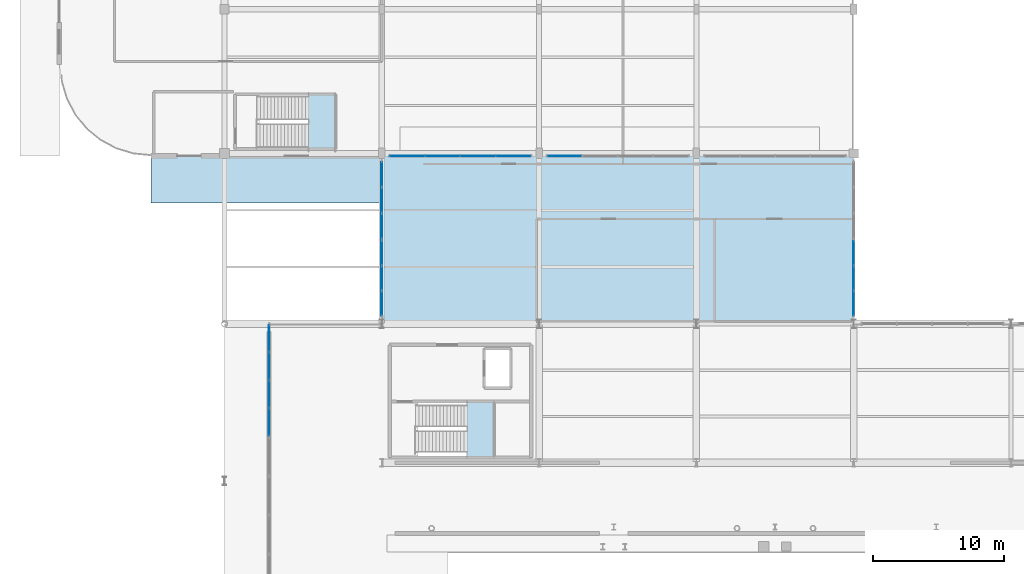
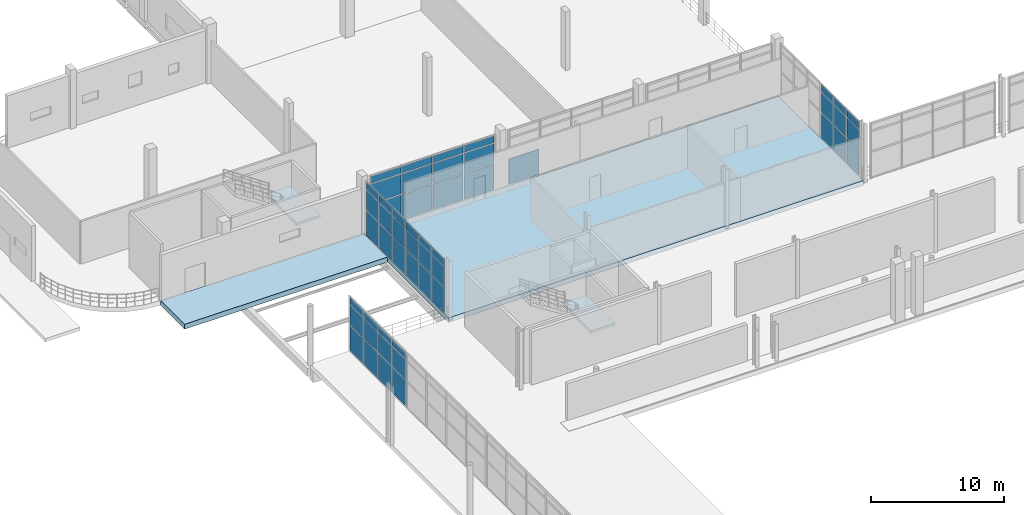
# One storey, part 49 of 85: 52 plates, 4 slabs, 8 elements without a shape of their own.
"""IFC4 building model written with IfcOpenShell, lengths in metres."""

from ifc_helpers import new_model, si_unit, direction, frame, origin, origin_2d, place, context, subcontext, project, spatial, polyline, rectangle, outline, extrude, material, layer, layer_set, type_object, element, aggregate, save


model = new_model("IFC4")

# Units and contexts
model_context = context("Model", 3, precision=1e-05, world=origin(), true_north=direction((0.0, 1.0)))
body_context = subcontext(model_context, "Body", "Model", "MODEL_VIEW")
ifc_project = project(units=[si_unit("LENGTHUNIT", "METRE"), si_unit("AREAUNIT", "SQUARE_METRE"), si_unit("VOLUMEUNIT", "CUBIC_METRE"), si_unit("PLANEANGLEUNIT", "RADIAN"), si_unit("MASSUNIT", "GRAM", prefix="KILO"), si_unit("THERMODYNAMICTEMPERATUREUNIT", "KELVIN"), si_unit("POWERUNIT", "WATT")], contexts=[model_context])

# Site, building, storey
site_placement = place(None, origin())
site = spatial("IfcSite", under=ifc_project, at=site_placement, CompositionType="ELEMENT")
building_placement = place(site_placement, origin())
building = spatial("IfcBuilding", under=site, at=building_placement, Name="Solmara Park Aquatics Centre", CompositionType="ELEMENT")
storey_placement = place(building_placement, origin())
storey = spatial("IfcBuildingStorey", under=building, at=storey_placement, Name="L00", CompositionType="ELEMENT", Elevation=0.0)

# Curtain wall, plates
ifc_material_1 = material(Name="Anodised Aluminium Curtain Wall Framing", Category="aluminium")
curtain_wall_type_1 = type_object("IfcCurtainWallType", Name="ARC-CW-SYS02", PredefinedType="USERDEFINED", material=ifc_material_1)
curtain_wall_1_placement = place(storey_placement, origin())
curtain_wall_1 = element("IfcCurtainWall", 1, at=curtain_wall_1_placement, inside=storey, type_object=curtain_wall_type_1, Name="Curtain Wall CW-096", ObjectType="CURTAIN WALL", PredefinedType="USERDEFINED")
ifc_material_2 = material(Name="Double Low-E Solar-Control Glazing", Category="glass")
ifc_layer_1 = layer(ifc_material_2, 0.035888671875, Name="Double Low-E Solar-Control Glazing")
ifc_layer_set_1 = layer_set([ifc_layer_1], Name="Double Low-E Solar-Control Glazing")
plate_type_1 = type_object("IfcPlateType", Name="ARC-CWP-GLZ36-1840x1800", PredefinedType="CURTAIN_PANEL", material=ifc_layer_set_1)
plate_1_placement = place(storey_placement, frame((60.60009765625, 74.139892578125, 2.48974609375), z_axis=(0.0, 0.0, 1.0), x_axis=(0.0, 1.0, 0.0)))
plate_1 = element("IfcPlate", 2, at=plate_1_placement, type_object=plate_type_1, Name="CW-096 panel 2", PredefinedType="CURTAIN_PANEL", context=body_context, shape_type="SweptSolid", body=[
    extrude(rectangle(XDim=1.840087890625, YDim=0.035888671875, at=origin_2d()), origin(), (0.0, 0.0, 1.0), 1.800048828125),
])
plate_2_placement = place(storey_placement, frame((60.60009765625, 76.06005859375, 2.48974609375), z_axis=(0.0, 0.0, 1.0), x_axis=(0.0, 1.0, 0.0)))
plate_2 = element("IfcPlate", 3, at=plate_2_placement, type_object=plate_type_1, Name="CW-096 panel 5", PredefinedType="CURTAIN_PANEL", context=body_context, shape_type="SweptSolid", body=[
    extrude(rectangle(XDim=1.840087890625, YDim=0.035888671875, at=origin_2d()), origin(), (0.0, 0.0, 1.0), 1.800048828125),
])
plate_3_placement = place(storey_placement, frame((60.60009765625, 77.97998046875, 2.48974609375), z_axis=(0.0, 0.0, 1.0), x_axis=(0.0, 1.0, 0.0)))
plate_3 = element("IfcPlate", 4, at=plate_3_placement, type_object=plate_type_1, Name="CW-096 panel 8", PredefinedType="CURTAIN_PANEL", context=body_context, shape_type="SweptSolid", body=[
    extrude(rectangle(XDim=1.840087890625, YDim=0.035888671875, at=origin_2d()), origin(), (0.0, 0.0, 1.0), 1.800048828125),
])

curtain_wall_2_placement = place(storey_placement, origin())
curtain_wall_2 = element("IfcCurtainWall", 5, at=curtain_wall_2_placement, inside=storey, type_object=curtain_wall_type_1, Name="Curtain Wall CW-097", ObjectType="CURTAIN WALL", PredefinedType="USERDEFINED")
plate_4_placement = place(storey_placement, frame((24.60009765625, 74.139892578125, 2.48974609375), z_axis=(0.0, 0.0, 1.0), x_axis=(0.0, 1.0, 0.0)))
plate_4 = element("IfcPlate", 6, at=plate_4_placement, type_object=plate_type_1, Name="CW-097 panel 2", PredefinedType="CURTAIN_PANEL", context=body_context, shape_type="SweptSolid", body=[
    extrude(rectangle(XDim=1.840087890625, YDim=0.035888671875, at=origin_2d()), origin(), (0.0, 0.0, 1.0), 1.800048828125),
])
plate_5_placement = place(storey_placement, frame((24.60009765625, 76.06005859375, 2.48974609375), z_axis=(0.0, 0.0, 1.0), x_axis=(0.0, 1.0, 0.0)))
plate_5 = element("IfcPlate", 7, at=plate_5_placement, type_object=plate_type_1, Name="CW-097 panel 5", PredefinedType="CURTAIN_PANEL", context=body_context, shape_type="SweptSolid", body=[
    extrude(rectangle(XDim=1.840087890625, YDim=0.035888671875, at=origin_2d()), origin(), (0.0, 0.0, 1.0), 1.800048828125),
])
plate_6_placement = place(storey_placement, frame((24.60009765625, 77.97998046875, 2.48974609375), z_axis=(0.0, 0.0, 1.0), x_axis=(0.0, 1.0, 0.0)))
plate_6 = element("IfcPlate", 8, at=plate_6_placement, type_object=plate_type_1, Name="CW-097 panel 8", PredefinedType="CURTAIN_PANEL", context=body_context, shape_type="SweptSolid", body=[
    extrude(rectangle(XDim=1.840087890625, YDim=0.035888671875, at=origin_2d()), origin(), (0.0, 0.0, 1.0), 1.800048828125),
])

# Plate
ifc_layer_2 = layer(ifc_material_2, 0.035888671875, Name="Double Low-E Solar-Control Glazing")
ifc_layer_set_2 = layer_set([ifc_layer_2], Name="Double Low-E Solar-Control Glazing")
plate_type_2 = type_object("IfcPlateType", Name="ARC-CWP-GLZ36-1840x2320", PredefinedType="CURTAIN_PANEL", material=ifc_layer_set_2)
plate_7_placement = place(storey_placement, frame((60.60009765625, 74.139892578125, 0.080078125), z_axis=(0.0, 0.0, 1.0), x_axis=(0.0, 1.0, 0.0)))
plate_7 = element("IfcPlate", 9, at=plate_7_placement, type_object=plate_type_2, Name="CW-096 panel 1", PredefinedType="CURTAIN_PANEL", context=body_context, shape_type="SweptSolid", body=[
    extrude(rectangle(XDim=1.840087890625, YDim=0.035888671875, at=origin_2d()), origin(), (0.0, 0.0, 1.0), 2.330078125),
])

plate_8_placement = place(storey_placement, frame((60.60009765625, 76.06005859375, 0.080078125), z_axis=(0.0, 0.0, 1.0), x_axis=(0.0, 1.0, 0.0)))
plate_8 = element("IfcPlate", 10, at=plate_8_placement, type_object=plate_type_2, Name="CW-096 panel 4", PredefinedType="CURTAIN_PANEL", context=body_context, shape_type="SweptSolid", body=[
    extrude(rectangle(XDim=1.840087890625, YDim=0.035888671875, at=origin_2d()), origin(), (0.0, 0.0, 1.0), 2.330078125),
])

plate_9_placement = place(storey_placement, frame((60.60009765625, 77.97998046875, 0.080078125), z_axis=(0.0, 0.0, 1.0), x_axis=(0.0, 1.0, 0.0)))
plate_9 = element("IfcPlate", 11, at=plate_9_placement, type_object=plate_type_2, Name="CW-096 panel 7", PredefinedType="CURTAIN_PANEL", context=body_context, shape_type="SweptSolid", body=[
    extrude(rectangle(XDim=1.840087890625, YDim=0.035888671875, at=origin_2d()), origin(), (0.0, 0.0, 1.0), 2.330078125),
])

plate_10_placement = place(storey_placement, frame((24.60009765625, 74.139892578125, 0.080078125), z_axis=(0.0, 0.0, 1.0), x_axis=(0.0, 1.0, 0.0)))
plate_10 = element("IfcPlate", 12, at=plate_10_placement, type_object=plate_type_2, Name="CW-097 panel 1", PredefinedType="CURTAIN_PANEL", context=body_context, shape_type="SweptSolid", body=[
    extrude(rectangle(XDim=1.840087890625, YDim=0.035888671875, at=origin_2d()), origin(), (0.0, 0.0, 1.0), 2.330078125),
])

plate_11_placement = place(storey_placement, frame((24.60009765625, 76.06005859375, 0.080078125), z_axis=(0.0, 0.0, 1.0), x_axis=(0.0, 1.0, 0.0)))
plate_11 = element("IfcPlate", 13, at=plate_11_placement, type_object=plate_type_2, Name="CW-097 panel 4", PredefinedType="CURTAIN_PANEL", context=body_context, shape_type="SweptSolid", body=[
    extrude(rectangle(XDim=1.840087890625, YDim=0.035888671875, at=origin_2d()), origin(), (0.0, 0.0, 1.0), 2.330078125),
])

plate_12_placement = place(storey_placement, frame((24.60009765625, 77.97998046875, 0.080078125), z_axis=(0.0, 0.0, 1.0), x_axis=(0.0, 1.0, 0.0)))
plate_12 = element("IfcPlate", 14, at=plate_12_placement, type_object=plate_type_2, Name="CW-097 panel 7", PredefinedType="CURTAIN_PANEL", context=body_context, shape_type="SweptSolid", body=[
    extrude(rectangle(XDim=1.840087890625, YDim=0.035888671875, at=origin_2d()), origin(), (0.0, 0.0, 1.0), 2.330078125),
])

# Curtain wall, plates
curtain_wall_3_placement = place(storey_placement, origin())
curtain_wall_3 = element("IfcCurtainWall", 15, at=curtain_wall_3_placement, inside=storey, type_object=curtain_wall_type_1, Name="Curtain Wall CW-101", ObjectType="CURTAIN WALL", PredefinedType="USERDEFINED")
ifc_layer_3 = layer(ifc_material_2, 0.035888671875, Name="Double Low-E Solar-Control Glazing")
ifc_layer_set_3 = layer_set([ifc_layer_3], Name="Double Low-E Solar-Control Glazing")
plate_type_3 = type_object("IfcPlateType", Name="ARC-CWP-GLZ36-1900x1800", PredefinedType="CURTAIN_PANEL", material=ifc_layer_set_3)
plate_13_placement = place(storey_placement, frame((24.60009765625, 80.013427734375, 2.48974609375), z_axis=(0.0, 0.0, 1.0), x_axis=(0.0, 1.0, 0.0)))
plate_13 = element("IfcPlate", 16, at=plate_13_placement, type_object=plate_type_3, Name="CW-101 panel 2", PredefinedType="CURTAIN_PANEL", context=body_context, shape_type="SweptSolid", body=[
    extrude(rectangle(XDim=1.90673828125, YDim=0.035888671875, at=origin_2d()), origin(), (0.0, 0.0, 1.0), 1.800048828125),
])
plate_14_placement = place(storey_placement, frame((24.60009765625, 82.0, 2.48974609375), z_axis=(0.0, 0.0, 1.0), x_axis=(0.0, 1.0, 0.0)))
plate_14 = element("IfcPlate", 17, at=plate_14_placement, type_object=plate_type_3, Name="CW-101 panel 5", PredefinedType="CURTAIN_PANEL", context=body_context, shape_type="SweptSolid", body=[
    extrude(rectangle(XDim=1.906494140625, YDim=0.035888671875, at=origin_2d()), origin(), (0.0, 0.0, 1.0), 1.800048828125),
])
plate_15_placement = place(storey_placement, frame((24.60009765625, 83.986572265625, 2.48974609375), z_axis=(0.0, 0.0, 1.0), x_axis=(0.0, 1.0, 0.0)))
plate_15 = element("IfcPlate", 18, at=plate_15_placement, type_object=plate_type_3, Name="CW-101 panel 8", PredefinedType="CURTAIN_PANEL", context=body_context, shape_type="SweptSolid", body=[
    extrude(rectangle(XDim=1.90673828125, YDim=0.035888671875, at=origin_2d()), origin(), (0.0, 0.0, 1.0), 1.800048828125),
])
ifc_layer_4 = layer(ifc_material_2, 0.035888671875, Name="Double Low-E Solar-Control Glazing")
ifc_layer_set_4 = layer_set([ifc_layer_4], Name="Double Low-E Solar-Control Glazing")
plate_type_4 = type_object("IfcPlateType", Name="ARC-CWP-GLZ36-1900x2320", PredefinedType="CURTAIN_PANEL", material=ifc_layer_set_4)
plate_16_placement = place(storey_placement, frame((24.60009765625, 80.013427734375, 0.080078125), z_axis=(0.0, 0.0, 1.0), x_axis=(0.0, 1.0, 0.0)))
plate_16 = element("IfcPlate", 19, at=plate_16_placement, type_object=plate_type_4, Name="CW-101 panel 1", PredefinedType="CURTAIN_PANEL", context=body_context, shape_type="SweptSolid", body=[
    extrude(rectangle(XDim=1.90673828125, YDim=0.035888671875, at=origin_2d()), origin(), (0.0, 0.0, 1.0), 2.330078125),
])
plate_17_placement = place(storey_placement, frame((24.60009765625, 82.0, 0.080078125), z_axis=(0.0, 0.0, 1.0), x_axis=(0.0, 1.0, 0.0)))
plate_17 = element("IfcPlate", 20, at=plate_17_placement, type_object=plate_type_4, Name="CW-101 panel 4", PredefinedType="CURTAIN_PANEL", context=body_context, shape_type="SweptSolid", body=[
    extrude(rectangle(XDim=1.906494140625, YDim=0.035888671875, at=origin_2d()), origin(), (0.0, 0.0, 1.0), 2.330078125),
])
plate_18_placement = place(storey_placement, frame((24.60009765625, 83.986572265625, 0.080078125), z_axis=(0.0, 0.0, 1.0), x_axis=(0.0, 1.0, 0.0)))
plate_18 = element("IfcPlate", 21, at=plate_18_placement, type_object=plate_type_4, Name="CW-101 panel 7", PredefinedType="CURTAIN_PANEL", context=body_context, shape_type="SweptSolid", body=[
    extrude(rectangle(XDim=1.90673828125, YDim=0.035888671875, at=origin_2d()), origin(), (0.0, 0.0, 1.0), 2.330078125),
])

curtain_wall_type_2 = type_object("IfcCurtainWallType", Name="ARC-CW-SYS01", PredefinedType="USERDEFINED", material=ifc_material_1)
curtain_wall_4_placement = place(storey_placement, origin())
curtain_wall_4 = element("IfcCurtainWall", 22, at=curtain_wall_4_placement, inside=storey, type_object=curtain_wall_type_2, Name="Curtain Wall CW-019", ObjectType="CURTAIN WALL", PredefinedType="USERDEFINED")
ifc_layer_5 = layer(ifc_material_2, 0.035888671875, Name="Double Low-E Solar-Control Glazing")
ifc_layer_set_5 = layer_set([ifc_layer_5], Name="Double Low-E Solar-Control Glazing")
plate_type_5 = type_object("IfcPlateType", Name="ARC-CWP-GLZ36-2040x1800", PredefinedType="CURTAIN_PANEL", material=ifc_layer_set_5)
plate_19_placement = place(storey_placement, frame((16.0, 65.0849609375, 2.48974609375), z_axis=(0.0, 0.0, 1.0), x_axis=(0.0, 1.0, 0.0)))
plate_19 = element("IfcPlate", 23, at=plate_19_placement, type_object=plate_type_5, Name="CW-019 panel 2", PredefinedType="CURTAIN_PANEL", context=body_context, shape_type="SweptSolid", body=[
    extrude(rectangle(XDim=2.050048828125, YDim=0.035888671875, at=origin_2d()), origin(), (0.0, 0.0, 1.0), 1.800048828125),
])
plate_20_placement = place(storey_placement, frame((16.0, 67.215087890625, 2.48974609375), z_axis=(0.0, 0.0, 1.0), x_axis=(0.0, 1.0, 0.0)))
plate_20 = element("IfcPlate", 24, at=plate_20_placement, type_object=plate_type_5, Name="CW-019 panel 5", PredefinedType="CURTAIN_PANEL", context=body_context, shape_type="SweptSolid", body=[
    extrude(rectangle(XDim=2.050048828125, YDim=0.035888671875, at=origin_2d()), origin(), (0.0, 0.0, 1.0), 1.800048828125),
])
plate_21_placement = place(storey_placement, frame((16.0, 71.47509765625, 2.48974609375), z_axis=(0.0, 0.0, 1.0), x_axis=(0.0, 1.0, 0.0)))
plate_21 = element("IfcPlate", 25, at=plate_21_placement, type_object=plate_type_5, Name="CW-019 panel 11", PredefinedType="CURTAIN_PANEL", context=body_context, shape_type="SweptSolid", body=[
    extrude(rectangle(XDim=2.050048828125, YDim=0.035888671875, at=origin_2d()), origin(), (0.0, 0.0, 1.0), 1.800048828125),
])
ifc_layer_6 = layer(ifc_material_2, 0.035888671875, Name="Double Low-E Solar-Control Glazing")
ifc_layer_set_6 = layer_set([ifc_layer_6], Name="Double Low-E Solar-Control Glazing")
plate_type_6 = type_object("IfcPlateType", Name="ARC-CWP-GLZ36-2040x2320", PredefinedType="CURTAIN_PANEL", material=ifc_layer_set_6)
plate_22_placement = place(storey_placement, frame((16.0, 65.0849609375, 0.080078125), z_axis=(0.0, 0.0, 1.0), x_axis=(0.0, 1.0, 0.0)))
plate_22 = element("IfcPlate", 26, at=plate_22_placement, type_object=plate_type_6, Name="CW-019 panel 1", PredefinedType="CURTAIN_PANEL", context=body_context, shape_type="SweptSolid", body=[
    extrude(rectangle(XDim=2.050048828125, YDim=0.035888671875, at=origin_2d()), origin(), (0.0, 0.0, 1.0), 2.330078125),
])
plate_23_placement = place(storey_placement, frame((16.0, 67.215087890625, 0.080078125), z_axis=(0.0, 0.0, 1.0), x_axis=(0.0, 1.0, 0.0)))
plate_23 = element("IfcPlate", 27, at=plate_23_placement, type_object=plate_type_6, Name="CW-019 panel 4", PredefinedType="CURTAIN_PANEL", context=body_context, shape_type="SweptSolid", body=[
    extrude(rectangle(XDim=2.050048828125, YDim=0.035888671875, at=origin_2d()), origin(), (0.0, 0.0, 1.0), 2.330078125),
])
plate_24_placement = place(storey_placement, frame((16.0, 71.47509765625, 0.080078125), z_axis=(0.0, 0.0, 1.0), x_axis=(0.0, 1.0, 0.0)))
plate_24 = element("IfcPlate", 28, at=plate_24_placement, type_object=plate_type_6, Name="CW-019 panel 10", PredefinedType="CURTAIN_PANEL", context=body_context, shape_type="SweptSolid", body=[
    extrude(rectangle(XDim=2.050048828125, YDim=0.035888671875, at=origin_2d()), origin(), (0.0, 0.0, 1.0), 2.330078125),
])
ifc_layer_7 = layer(ifc_material_2, 0.035888671875, Name="Double Low-E Solar-Control Glazing")
ifc_layer_set_7 = layer_set([ifc_layer_7], Name="Double Low-E Solar-Control Glazing")
plate_type_7 = type_object("IfcPlateType", Name="ARC-CWP-GLZ36-2060x1800", PredefinedType="CURTAIN_PANEL", material=ifc_layer_set_7)
plate_25_placement = place(storey_placement, frame((16.0, 69.344970703125, 2.48974609375), z_axis=(0.0, 0.0, 1.0), x_axis=(0.0, 1.0, 0.0)))
plate_25 = element("IfcPlate", 29, at=plate_25_placement, type_object=plate_type_7, Name="CW-019 panel 8", PredefinedType="CURTAIN_PANEL", context=body_context, shape_type="SweptSolid", body=[
    extrude(rectangle(XDim=2.050048828125, YDim=0.035888671875, at=origin_2d()), origin(), (0.0, 0.0, 1.0), 1.800048828125),
])
ifc_layer_8 = layer(ifc_material_2, 0.035888671875, Name="Double Low-E Solar-Control Glazing")
ifc_layer_set_8 = layer_set([ifc_layer_8], Name="Double Low-E Solar-Control Glazing")
plate_type_8 = type_object("IfcPlateType", Name="ARC-CWP-GLZ36-2060x2320", PredefinedType="CURTAIN_PANEL", material=ifc_layer_set_8)
plate_26_placement = place(storey_placement, frame((16.0, 69.344970703125, 0.080078125), z_axis=(0.0, 0.0, 1.0), x_axis=(0.0, 1.0, 0.0)))
plate_26 = element("IfcPlate", 30, at=plate_26_placement, type_object=plate_type_8, Name="CW-019 panel 7", PredefinedType="CURTAIN_PANEL", context=body_context, shape_type="SweptSolid", body=[
    extrude(rectangle(XDim=2.050048828125, YDim=0.035888671875, at=origin_2d()), origin(), (0.0, 0.0, 1.0), 2.330078125),
])

curtain_wall_5_placement = place(storey_placement, origin())
curtain_wall_5 = element("IfcCurtainWall", 31, at=curtain_wall_5_placement, inside=storey, type_object=curtain_wall_type_1, Name="Curtain Wall CW-107", ObjectType="CURTAIN WALL", PredefinedType="USERDEFINED")
ifc_layer_9 = layer(ifc_material_2, 0.035888671875, Name="Double Low-E Solar-Control Glazing")
ifc_layer_set_9 = layer_set([ifc_layer_9], Name="Double Low-E Solar-Control Glazing")
plate_type_9 = type_object("IfcPlateType", Name="ARC-CWP-GLZ36-2620x1800", PredefinedType="CURTAIN_PANEL", material=ifc_layer_set_9)
plate_27_placement = place(storey_placement, frame((26.530029296875, 85.39990234375, 2.48974609375), z_axis=(0.0, 0.0, 1.0), x_axis=(1.0, 0.0, 0.0)))
plate_27 = element("IfcPlate", 32, at=plate_27_placement, type_object=plate_type_9, Name="CW-107 panel 2", PredefinedType="CURTAIN_PANEL", context=body_context, shape_type="SweptSolid", body=[
    extrude(rectangle(XDim=2.6201171875, YDim=0.035888671875, at=origin_2d()), origin(), (0.0, 0.0, 1.0), 1.800048828125),
])
plate_28_placement = place(storey_placement, frame((29.22998046875, 85.39990234375, 2.48974609375), z_axis=(0.0, 0.0, 1.0), x_axis=(1.0, 0.0, 0.0)))
plate_28 = element("IfcPlate", 33, at=plate_28_placement, type_object=plate_type_9, Name="CW-107 panel 5", PredefinedType="CURTAIN_PANEL", context=body_context, shape_type="SweptSolid", body=[
    extrude(rectangle(XDim=2.6201171875, YDim=0.035888671875, at=origin_2d()), origin(), (0.0, 0.0, 1.0), 1.800048828125),
])
plate_29_placement = place(storey_placement, frame((31.929931640625, 85.39990234375, 2.48974609375), z_axis=(0.0, 0.0, 1.0), x_axis=(1.0, 0.0, 0.0)))
plate_29 = element("IfcPlate", 34, at=plate_29_placement, type_object=plate_type_9, Name="CW-107 panel 8", PredefinedType="CURTAIN_PANEL", context=body_context, shape_type="SweptSolid", body=[
    extrude(rectangle(XDim=2.6201171875, YDim=0.035888671875, at=origin_2d()), origin(), (0.0, 0.0, 1.0), 1.800048828125),
])
plate_30_placement = place(storey_placement, frame((34.6298828125, 85.39990234375, 2.48974609375), z_axis=(0.0, 0.0, 1.0), x_axis=(1.0, 0.0, 0.0)))
plate_30 = element("IfcPlate", 35, at=plate_30_placement, type_object=plate_type_9, Name="CW-107 panel 11", PredefinedType="CURTAIN_PANEL", context=body_context, shape_type="SweptSolid", body=[
    extrude(rectangle(XDim=2.6201171875, YDim=0.035888671875, at=origin_2d()), origin(), (0.0, 0.0, 1.0), 1.800048828125),
])
ifc_layer_10 = layer(ifc_material_2, 0.035888671875, Name="Double Low-E Solar-Control Glazing")
ifc_layer_set_10 = layer_set([ifc_layer_10], Name="Double Low-E Solar-Control Glazing")
plate_type_10 = type_object("IfcPlateType", Name="ARC-CWP-GLZ36-2620x2320", PredefinedType="CURTAIN_PANEL", material=ifc_layer_set_10)
plate_31_placement = place(storey_placement, frame((26.530029296875, 85.39990234375, 0.080078125), z_axis=(0.0, 0.0, 1.0), x_axis=(1.0, 0.0, 0.0)))
plate_31 = element("IfcPlate", 36, at=plate_31_placement, type_object=plate_type_10, Name="CW-107 panel 1", PredefinedType="CURTAIN_PANEL", context=body_context, shape_type="SweptSolid", body=[
    extrude(rectangle(XDim=2.6201171875, YDim=0.035888671875, at=origin_2d()), origin(), (0.0, 0.0, 1.0), 2.330078125),
])
plate_32_placement = place(storey_placement, frame((29.22998046875, 85.39990234375, 0.080078125), z_axis=(0.0, 0.0, 1.0), x_axis=(1.0, 0.0, 0.0)))
plate_32 = element("IfcPlate", 37, at=plate_32_placement, type_object=plate_type_10, Name="CW-107 panel 4", PredefinedType="CURTAIN_PANEL", context=body_context, shape_type="SweptSolid", body=[
    extrude(rectangle(XDim=2.6201171875, YDim=0.035888671875, at=origin_2d()), origin(), (0.0, 0.0, 1.0), 2.330078125),
])
plate_33_placement = place(storey_placement, frame((31.929931640625, 85.39990234375, 0.080078125), z_axis=(0.0, 0.0, 1.0), x_axis=(1.0, 0.0, 0.0)))
plate_33 = element("IfcPlate", 38, at=plate_33_placement, type_object=plate_type_10, Name="CW-107 panel 7", PredefinedType="CURTAIN_PANEL", context=body_context, shape_type="SweptSolid", body=[
    extrude(rectangle(XDim=2.6201171875, YDim=0.035888671875, at=origin_2d()), origin(), (0.0, 0.0, 1.0), 2.330078125),
])
plate_34_placement = place(storey_placement, frame((34.6298828125, 85.39990234375, 0.080078125), z_axis=(0.0, 0.0, 1.0), x_axis=(1.0, 0.0, 0.0)))
plate_34 = element("IfcPlate", 39, at=plate_34_placement, type_object=plate_type_10, Name="CW-107 panel 10", PredefinedType="CURTAIN_PANEL", context=body_context, shape_type="SweptSolid", body=[
    extrude(rectangle(XDim=2.6201171875, YDim=0.035888671875, at=origin_2d()), origin(), (0.0, 0.0, 1.0), 2.330078125),
])

# Curtain wall, plate
curtain_wall_6_placement = place(storey_placement, origin())
curtain_wall_6 = element("IfcCurtainWall", 40, at=curtain_wall_6_placement, inside=storey, type_object=curtain_wall_type_1, Name="Curtain Wall CW-108", ObjectType="CURTAIN WALL", PredefinedType="USERDEFINED")
plate_35_placement = place(storey_placement, frame((38.530029296875, 85.39990234375, 0.080078125), z_axis=(0.0, 0.0, 1.0), x_axis=(1.0, 0.0, 0.0)))
plate_35 = element("IfcPlate", 41, at=plate_35_placement, type_object=plate_type_10, Name="CW-108 panel 1", PredefinedType="CURTAIN_PANEL", context=body_context, shape_type="SweptSolid", body=[
    extrude(rectangle(XDim=2.6201171875, YDim=0.035888671875, at=origin_2d()), origin(), (0.0, 0.0, 1.0), 2.330078125),
])
aggregate(curtain_wall_6, [plate_35])

# Plate
ifc_material_3 = material(Name="Golden-Ochre Enamelled Aluminium Fascia Panel", Category="aluminium")
ifc_layer_11 = layer(ifc_material_3, 0.0400390625, Name="Golden-Ochre Enamelled Aluminium Fascia Panel")
ifc_layer_set_11 = layer_set([ifc_layer_11], Name="Golden-Ochre Enamelled Aluminium Fascia Panel")
plate_type_11 = type_object("IfcPlateType", Name="ARC-CWP-OCH40-1840x620", PredefinedType="CURTAIN_PANEL", material=ifc_layer_set_11)
plate_36_placement = place(storey_placement, frame((60.60009765625, 74.139892578125, 4.3701171875), z_axis=(0.0, 0.0, 1.0), x_axis=(0.0, 1.0, 0.0)))
plate_36 = element("IfcPlate", 42, at=plate_36_placement, type_object=plate_type_11, Name="CW-096 panel 3", PredefinedType="CURTAIN_PANEL", context=body_context, shape_type="SweptSolid", body=[
    extrude(rectangle(XDim=1.840087890625, YDim=0.0400390625, at=origin_2d()), origin(), (0.0, 0.0, 1.0), 0.6298828125),
])

plate_37_placement = place(storey_placement, frame((60.60009765625, 76.06005859375, 4.3701171875), z_axis=(0.0, 0.0, 1.0), x_axis=(0.0, 1.0, 0.0)))
plate_37 = element("IfcPlate", 43, at=plate_37_placement, type_object=plate_type_11, Name="CW-096 panel 6", PredefinedType="CURTAIN_PANEL", context=body_context, shape_type="SweptSolid", body=[
    extrude(rectangle(XDim=1.840087890625, YDim=0.0400390625, at=origin_2d()), origin(), (0.0, 0.0, 1.0), 0.6298828125),
])

plate_38_placement = place(storey_placement, frame((60.60009765625, 77.97998046875, 4.3701171875), z_axis=(0.0, 0.0, 1.0), x_axis=(0.0, 1.0, 0.0)))
plate_38 = element("IfcPlate", 44, at=plate_38_placement, type_object=plate_type_11, Name="CW-096 panel 9", PredefinedType="CURTAIN_PANEL", context=body_context, shape_type="SweptSolid", body=[
    extrude(rectangle(XDim=1.840087890625, YDim=0.0400390625, at=origin_2d()), origin(), (0.0, 0.0, 1.0), 0.6298828125),
])

aggregate(curtain_wall_1, [plate_7, plate_1, plate_36, plate_8, plate_2, plate_37, plate_9, plate_3, plate_38])

ifc_material_4 = material(Name="Insulated Anodised Aluminium Spandrel Panel", Category="aluminium")
ifc_layer_12 = layer(ifc_material_4, 0.0439453125, Name="Insulated Anodised Aluminium Spandrel Panel")
ifc_layer_set_12 = layer_set([ifc_layer_12], Name="Insulated Anodised Aluminium Spandrel Panel")
plate_type_12 = type_object("IfcPlateType", Name="ARC-CWP-SPN44-1840x620", PredefinedType="CURTAIN_PANEL", material=ifc_layer_set_12)
plate_39_placement = place(storey_placement, frame((24.60009765625, 74.139892578125, 4.3701171875), z_axis=(0.0, 0.0, 1.0), x_axis=(0.0, 1.0, 0.0)))
plate_39 = element("IfcPlate", 45, at=plate_39_placement, type_object=plate_type_12, Name="CW-097 panel 3", PredefinedType="CURTAIN_PANEL", context=body_context, shape_type="SweptSolid", body=[
    extrude(rectangle(XDim=1.840087890625, YDim=0.0439453125, at=origin_2d()), origin(), (0.0, 0.0, 1.0), 0.6298828125),
])

plate_40_placement = place(storey_placement, frame((24.60009765625, 76.06005859375, 4.3701171875), z_axis=(0.0, 0.0, 1.0), x_axis=(0.0, 1.0, 0.0)))
plate_40 = element("IfcPlate", 46, at=plate_40_placement, type_object=plate_type_12, Name="CW-097 panel 6", PredefinedType="CURTAIN_PANEL", context=body_context, shape_type="SweptSolid", body=[
    extrude(rectangle(XDim=1.840087890625, YDim=0.0439453125, at=origin_2d()), origin(), (0.0, 0.0, 1.0), 0.6298828125),
])

plate_41_placement = place(storey_placement, frame((24.60009765625, 77.97998046875, 4.3701171875), z_axis=(0.0, 0.0, 1.0), x_axis=(0.0, 1.0, 0.0)))
plate_41 = element("IfcPlate", 47, at=plate_41_placement, type_object=plate_type_12, Name="CW-097 panel 9", PredefinedType="CURTAIN_PANEL", context=body_context, shape_type="SweptSolid", body=[
    extrude(rectangle(XDim=1.840087890625, YDim=0.0439453125, at=origin_2d()), origin(), (0.0, 0.0, 1.0), 0.6298828125),
])

aggregate(curtain_wall_2, [plate_10, plate_4, plate_39, plate_11, plate_5, plate_40, plate_12, plate_6, plate_41])

ifc_layer_13 = layer(ifc_material_4, 0.0439453125, Name="Insulated Anodised Aluminium Spandrel Panel")
ifc_layer_set_13 = layer_set([ifc_layer_13], Name="Insulated Anodised Aluminium Spandrel Panel")
plate_type_13 = type_object("IfcPlateType", Name="ARC-CWP-SPN44-1900x620", PredefinedType="CURTAIN_PANEL", material=ifc_layer_set_13)
plate_42_placement = place(storey_placement, frame((24.60009765625, 80.013427734375, 4.3701171875), z_axis=(0.0, 0.0, 1.0), x_axis=(0.0, 1.0, 0.0)))
plate_42 = element("IfcPlate", 48, at=plate_42_placement, type_object=plate_type_13, Name="CW-101 panel 3", PredefinedType="CURTAIN_PANEL", context=body_context, shape_type="SweptSolid", body=[
    extrude(rectangle(XDim=1.90673828125, YDim=0.0439453125, at=origin_2d()), origin(), (0.0, 0.0, 1.0), 0.6298828125),
])

plate_43_placement = place(storey_placement, frame((24.60009765625, 82.0, 4.3701171875), z_axis=(0.0, 0.0, 1.0), x_axis=(0.0, 1.0, 0.0)))
plate_43 = element("IfcPlate", 49, at=plate_43_placement, type_object=plate_type_13, Name="CW-101 panel 6", PredefinedType="CURTAIN_PANEL", context=body_context, shape_type="SweptSolid", body=[
    extrude(rectangle(XDim=1.906494140625, YDim=0.0439453125, at=origin_2d()), origin(), (0.0, 0.0, 1.0), 0.6298828125),
])

plate_44_placement = place(storey_placement, frame((24.60009765625, 83.986572265625, 4.3701171875), z_axis=(0.0, 0.0, 1.0), x_axis=(0.0, 1.0, 0.0)))
plate_44 = element("IfcPlate", 50, at=plate_44_placement, type_object=plate_type_13, Name="CW-101 panel 9", PredefinedType="CURTAIN_PANEL", context=body_context, shape_type="SweptSolid", body=[
    extrude(rectangle(XDim=1.90673828125, YDim=0.0439453125, at=origin_2d()), origin(), (0.0, 0.0, 1.0), 0.6298828125),
])

aggregate(curtain_wall_3, [plate_16, plate_13, plate_42, plate_17, plate_14, plate_43, plate_18, plate_15, plate_44])

ifc_layer_14 = layer(ifc_material_4, 0.0439453125, Name="Insulated Anodised Aluminium Spandrel Panel")
ifc_layer_set_14 = layer_set([ifc_layer_14], Name="Insulated Anodised Aluminium Spandrel Panel")
plate_type_14 = type_object("IfcPlateType", Name="ARC-CWP-SPN44-2040x620", PredefinedType="CURTAIN_PANEL", material=ifc_layer_set_14)
plate_45_placement = place(storey_placement, frame((16.0, 65.0849609375, 4.3701171875), z_axis=(0.0, 0.0, 1.0), x_axis=(0.0, 1.0, 0.0)))
plate_45 = element("IfcPlate", 51, at=plate_45_placement, type_object=plate_type_14, Name="CW-019 panel 3", PredefinedType="CURTAIN_PANEL", context=body_context, shape_type="SweptSolid", body=[
    extrude(rectangle(XDim=2.050048828125, YDim=0.0439453125, at=origin_2d()), origin(), (0.0, 0.0, 1.0), 0.6298828125),
])

plate_46_placement = place(storey_placement, frame((16.0, 67.215087890625, 4.3701171875), z_axis=(0.0, 0.0, 1.0), x_axis=(0.0, 1.0, 0.0)))
plate_46 = element("IfcPlate", 52, at=plate_46_placement, type_object=plate_type_14, Name="CW-019 panel 6", PredefinedType="CURTAIN_PANEL", context=body_context, shape_type="SweptSolid", body=[
    extrude(rectangle(XDim=2.050048828125, YDim=0.0439453125, at=origin_2d()), origin(), (0.0, 0.0, 1.0), 0.6298828125),
])

plate_47_placement = place(storey_placement, frame((16.0, 71.47509765625, 4.3701171875), z_axis=(0.0, 0.0, 1.0), x_axis=(0.0, 1.0, 0.0)))
plate_47 = element("IfcPlate", 53, at=plate_47_placement, type_object=plate_type_14, Name="CW-019 panel 12", PredefinedType="CURTAIN_PANEL", context=body_context, shape_type="SweptSolid", body=[
    extrude(rectangle(XDim=2.050048828125, YDim=0.0439453125, at=origin_2d()), origin(), (0.0, 0.0, 1.0), 0.6298828125),
])

ifc_layer_15 = layer(ifc_material_4, 0.0439453125, Name="Insulated Anodised Aluminium Spandrel Panel")
ifc_layer_set_15 = layer_set([ifc_layer_15], Name="Insulated Anodised Aluminium Spandrel Panel")
plate_type_15 = type_object("IfcPlateType", Name="ARC-CWP-SPN44-2060x620", PredefinedType="CURTAIN_PANEL", material=ifc_layer_set_15)
plate_48_placement = place(storey_placement, frame((16.0, 69.344970703125, 4.3701171875), z_axis=(0.0, 0.0, 1.0), x_axis=(0.0, 1.0, 0.0)))
plate_48 = element("IfcPlate", 54, at=plate_48_placement, type_object=plate_type_15, Name="CW-019 panel 9", PredefinedType="CURTAIN_PANEL", context=body_context, shape_type="SweptSolid", body=[
    extrude(rectangle(XDim=2.050048828125, YDim=0.0439453125, at=origin_2d()), origin(), (0.0, 0.0, 1.0), 0.6298828125),
])

aggregate(curtain_wall_4, [plate_22, plate_19, plate_45, plate_23, plate_20, plate_46, plate_26, plate_25, plate_48, plate_24, plate_21, plate_47])

ifc_layer_16 = layer(ifc_material_4, 0.0439453125, Name="Insulated Anodised Aluminium Spandrel Panel")
ifc_layer_set_16 = layer_set([ifc_layer_16], Name="Insulated Anodised Aluminium Spandrel Panel")
plate_type_16 = type_object("IfcPlateType", Name="ARC-CWP-SPN44-2620x620", PredefinedType="CURTAIN_PANEL", material=ifc_layer_set_16)
plate_49_placement = place(storey_placement, frame((26.530029296875, 85.39990234375, 4.3701171875), z_axis=(0.0, 0.0, 1.0), x_axis=(1.0, 0.0, 0.0)))
plate_49 = element("IfcPlate", 55, at=plate_49_placement, type_object=plate_type_16, Name="CW-107 panel 3", PredefinedType="CURTAIN_PANEL", context=body_context, shape_type="SweptSolid", body=[
    extrude(rectangle(XDim=2.6201171875, YDim=0.0439453125, at=origin_2d()), origin(), (0.0, 0.0, 1.0), 0.6298828125),
])

plate_50_placement = place(storey_placement, frame((29.22998046875, 85.39990234375, 4.3701171875), z_axis=(0.0, 0.0, 1.0), x_axis=(1.0, 0.0, 0.0)))
plate_50 = element("IfcPlate", 56, at=plate_50_placement, type_object=plate_type_16, Name="CW-107 panel 6", PredefinedType="CURTAIN_PANEL", context=body_context, shape_type="SweptSolid", body=[
    extrude(rectangle(XDim=2.6201171875, YDim=0.0439453125, at=origin_2d()), origin(), (0.0, 0.0, 1.0), 0.6298828125),
])

plate_51_placement = place(storey_placement, frame((31.929931640625, 85.39990234375, 4.3701171875), z_axis=(0.0, 0.0, 1.0), x_axis=(1.0, 0.0, 0.0)))
plate_51 = element("IfcPlate", 57, at=plate_51_placement, type_object=plate_type_16, Name="CW-107 panel 9", PredefinedType="CURTAIN_PANEL", context=body_context, shape_type="SweptSolid", body=[
    extrude(rectangle(XDim=2.6201171875, YDim=0.0439453125, at=origin_2d()), origin(), (0.0, 0.0, 1.0), 0.6298828125),
])

plate_52_placement = place(storey_placement, frame((34.6298828125, 85.39990234375, 4.3701171875), z_axis=(0.0, 0.0, 1.0), x_axis=(1.0, 0.0, 0.0)))
plate_52 = element("IfcPlate", 58, at=plate_52_placement, type_object=plate_type_16, Name="CW-107 panel 12", PredefinedType="CURTAIN_PANEL", context=body_context, shape_type="SweptSolid", body=[
    extrude(rectangle(XDim=2.6201171875, YDim=0.0439453125, at=origin_2d()), origin(), (0.0, 0.0, 1.0), 0.6298828125),
])

aggregate(curtain_wall_5, [plate_31, plate_27, plate_49, plate_32, plate_28, plate_50, plate_33, plate_29, plate_51, plate_34, plate_30, plate_52])

# Stair, slab
ifc_material_5 = material(Name="Concrete C40/50", Category="concrete")
stair_type_1 = type_object("IfcStairType", Name="ARC-ST-CORE", PredefinedType="HALF_TURN_STAIR", material=ifc_material_5)
stair_1_placement = place(storey_placement, origin())
stair_1 = element("IfcStair", 59, at=stair_1_placement, inside=storey, type_object=stair_type_1, Name="ST-04 Protected Exit Stair (L00 to L01)", PredefinedType="HALF_TURN_STAIR")
ifc_layer_17 = layer(ifc_material_5, 0.219970703125, Name="Concrete C40/50")
ifc_layer_set_17 = layer_set([ifc_layer_17], Name="Concrete C40/50")
slab_type_1 = type_object("IfcSlabType", Name="ARC-SLB-LND220", PredefinedType="LANDING", material=ifc_layer_set_17)
slab_1_placement = place(storey_placement, frame((0.0, 0.0, 2.47998046875)))
slab_1 = element("IfcSlab", 60, at=slab_1_placement, type_object=slab_type_1, Name="ST-04 landing 1", PredefinedType="LANDING", context=body_context, shape_type="SweptSolid", body=[
    extrude(outline(polyline([(31.0849609375, 62.429931640625), (33.179931640625, 62.429931640625), (33.179931640625, 66.669921875), (31.0849609375, 66.669921875), (31.0849609375, 62.429931640625)])), origin(), (0.0, 0.0, 1.0), 0.219970703125),
])
aggregate(stair_1, [slab_1])

stair_type_2 = type_object("IfcStairType", Name="ARC-ST-ESC", PredefinedType="HALF_TURN_STAIR", material=ifc_material_5)
stair_2_placement = place(storey_placement, origin())
stair_2 = element("IfcStair", 61, at=stair_2_placement, inside=storey, type_object=stair_type_2, Name="West Changing Escape Stair ST-08 (L00-L01)", PredefinedType="HALF_TURN_STAIR")
slab_2_placement = place(storey_placement, frame((0.0, 0.0, 2.47998046875)))
slab_2 = element("IfcSlab", 62, at=slab_2_placement, type_object=slab_type_1, Name="ST-08 landing 1", PredefinedType="LANDING", context=body_context, shape_type="SweptSolid", body=[
    extrude(outline(polyline([(18.985107421875, 85.719970703125), (21.080078125, 85.719970703125), (21.080078125, 90.219970703125), (18.985107421875, 90.219970703125), (18.985107421875, 85.719970703125)])), origin(), (0.0, 0.0, 1.0), 0.219970703125),
])
aggregate(stair_2, [slab_2])

# Slabs
ifc_material_6 = material(Name="Watertight Concrete C45/55", Category="concrete")
ifc_layer_18 = layer(ifc_material_6, 0.419921875, Name="Watertight Concrete C45/55")
ifc_layer_set_18 = layer_set([ifc_layer_18], Name="Watertight Concrete C45/55")
slab_type_2 = type_object("IfcSlabType", Name="STR-SLB-DECK420", PredefinedType="FLOOR", material=ifc_layer_set_18)
slab_3_placement = place(storey_placement, frame((0.0, 0.0, -0.419921875)))
element("IfcSlab", 63, at=slab_3_placement, inside=storey, type_object=slab_type_2, Name="Changing Villages L00 South Link Slab", PredefinedType="FLOOR", context=body_context, shape_type="SweptSolid", body=[
    extrude(outline(polyline([(24.60009765625, 72.60009765625), (60.60009765625, 72.60009765625), (60.60009765625, 85.39990234375), (24.60009765625, 85.39990234375), (24.60009765625, 72.60009765625)])), origin(), (0.0, 0.0, 1.0), 0.419921875),
])
ifc_layer_19 = layer(ifc_material_6, 0.449951171875, Name="Watertight Concrete C45/55")
ifc_layer_set_19 = layer_set([ifc_layer_19], Name="Watertight Concrete C45/55")
slab_type_3 = type_object("IfcSlabType", Name="STR-SLB-POOL450", PredefinedType="BASESLAB", material=ifc_layer_set_19)
slab_4_placement = place(storey_placement, frame((0.0, 0.0, -0.449951171875)))
element("IfcSlab", 64, at=slab_4_placement, inside=storey, type_object=slab_type_3, Name="Volume 4 Oasis Court Grade Exit Apron", PredefinedType="BASESLAB", context=body_context, shape_type="SweptSolid", body=[
    extrude(outline(polyline([(7.0, 81.800048828125), (24.60009765625, 81.800048828125), (24.60009765625, 85.39990234375), (7.0, 85.39990234375), (7.0, 81.800048828125)])), origin(), (0.0, 0.0, 1.0), 0.449951171875),
])

save(model, "model.ifc")
